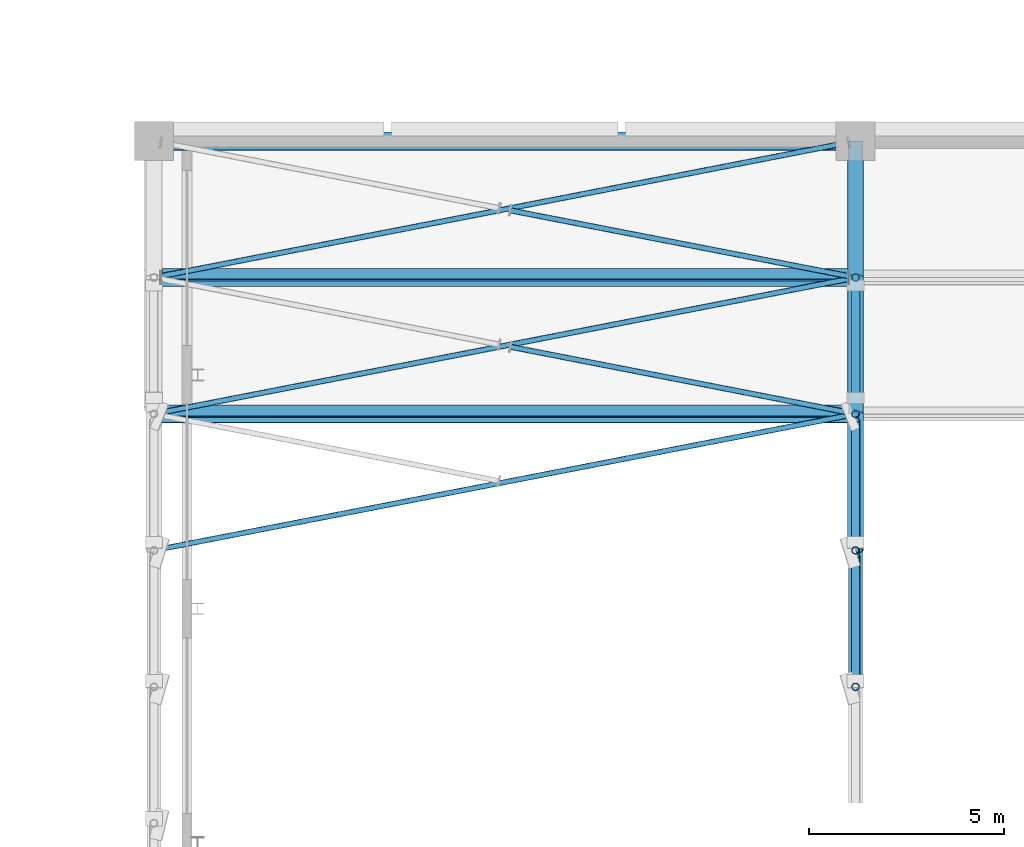
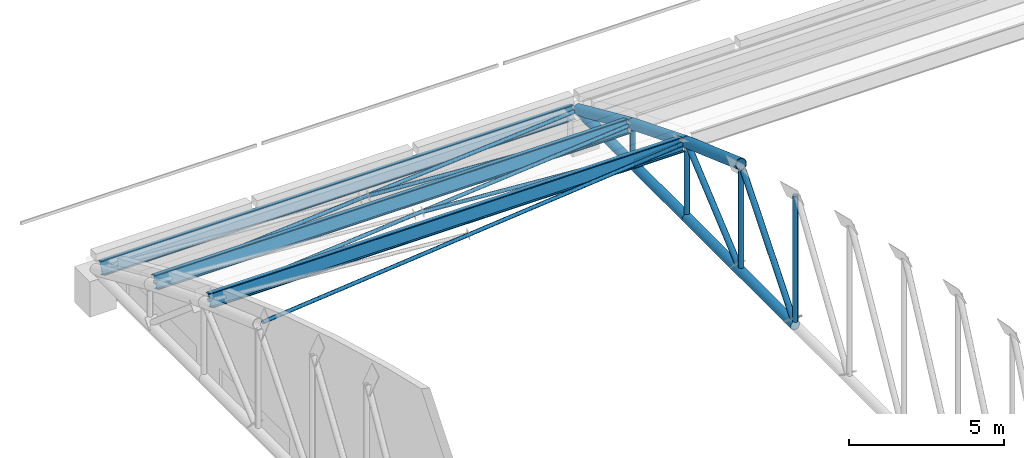
# One storey, part 67 of 196: 20 members.
"""IFC4 building model written with IfcOpenShell, lengths in metres."""

from ifc_helpers import new_model, si_unit, direction, frame, origin, origin_2d, place, context, subcontext, project, spatial, hollow_circle, i_section, extrude, material, material_profile, profile_set, type_object, element, save


model = new_model("IFC4")

# Units and contexts
model_context = context("Model", 3, precision=1e-05, world=origin(), true_north=direction((0.0, 1.0)))
body_context = subcontext(model_context, "Body", "Model", "MODEL_VIEW")
ifc_project = project(units=[si_unit("LENGTHUNIT", "METRE"), si_unit("AREAUNIT", "SQUARE_METRE"), si_unit("VOLUMEUNIT", "CUBIC_METRE"), si_unit("PLANEANGLEUNIT", "RADIAN"), si_unit("MASSUNIT", "GRAM", prefix="KILO")], contexts=[model_context])

# Site, building, storey
site_placement = place(None, origin())
site = spatial("IfcSite", under=ifc_project, at=site_placement, CompositionType="ELEMENT")
building_placement = place(site_placement, origin())
building = spatial("IfcBuilding", under=site, at=building_placement, Name="Okhra Congress Centre", CompositionType="ELEMENT")
storey_placement = place(building_placement, frame((0.0, 0.0, 12.0)))
storey = spatial("IfcBuildingStorey", under=building, at=storey_placement, Name="L02", CompositionType="ELEMENT", Elevation=12.0)

# Members
ifc_material_1 = material(Name="Steel S355J2H", Category="steel")
ifc_material_profile_1 = material_profile(ifc_material_1, hollow_circle(Radius=0.06982421875, WallThickness=0.00634765625, at=origin_2d()), Name="CHS 139.7x6.3")
ifc_profile_set_1 = profile_set([ifc_material_profile_1], Name="Steel S355J2H")
member_type_1 = type_object("IfcMemberType", Name="CHS 139.7x6.3", PredefinedType="BRACE", material=ifc_profile_set_1)
member_1_placement = place(storey_placement, frame((28.185546875, 205.5361328125, 5.6162109375), z_axis=(0.979325120361, 0.190418301156, -0.068287474809), x_axis=(-0.190863837306, 0.981616521667, 0.0)))
element("IfcMember", 1, at=member_1_placement, inside=storey, type_object=member_type_1, Name="EH.MEM.L02.XB1-22-1", PredefinedType="BRACE", context=body_context, shape_type="SweptSolid", body=[
    extrude(hollow_circle(Radius=0.06982421875, WallThickness=0.00634765625, at=origin_2d()), origin(), (0.0, 0.0, 1.0), 18.0009765625),
])
member_2_placement = place(storey_placement, frame((28.185546875, 209.0361328125, 4.359619140625), z_axis=(0.978737844173, 0.190304112179, -0.07652827759), x_axis=(-0.190863837306, 0.981616521667, 0.0)))
element("IfcMember", 2, at=member_2_placement, inside=storey, type_object=member_type_1, Name="EH.MEM.L02.XB1-23-1", PredefinedType="BRACE", context=body_context, shape_type="SweptSolid", body=[
    extrude(hollow_circle(Radius=0.06982421875, WallThickness=0.00634765625, at=origin_2d()), origin(), (0.0, 0.0, 1.0), 18.011962890625),
])
member_3_placement = place(storey_placement, frame((45.814453125, 209.0361328125, 4.359619140625), z_axis=(-0.97874056041, 0.19029150725, -0.076524882736), x_axis=(-0.190851145429, -0.981618989368, 0.0)))
element("IfcMember", 3, at=member_3_placement, inside=storey, type_object=member_type_1, Name="EH.MEM.L02.XB1-23-2a", PredefinedType="BRACE", context=body_context, shape_type="SweptSolid", body=[
    extrude(hollow_circle(Radius=0.06982421875, WallThickness=0.00634765625, at=origin_2d()), origin(), (0.0, 0.0, 1.0), 8.85009765625),
])
member_4_placement = place(storey_placement, frame((28.185546875, 212.5361328125, 2.95068359375), z_axis=(0.978053112716, 0.190170974165, -0.085129955315), x_axis=(-0.190863837306, 0.981616521667, 0.0)))
element("IfcMember", 4, at=member_4_placement, inside=storey, type_object=member_type_1, Name="EH.MEM.L02.XB1-24-1", PredefinedType="BRACE", context=body_context, shape_type="SweptSolid", body=[
    extrude(hollow_circle(Radius=0.06982421875, WallThickness=0.00634765625, at=origin_2d()), origin(), (0.0, 0.0, 1.0), 18.0244140625),
])
member_5_placement = place(storey_placement, frame((45.814453125, 212.5361328125, 2.95068359375), z_axis=(-0.978051270157, 0.190181228948, -0.085128215653), x_axis=(-0.190874100976, -0.98161452596, 0.0)))
element("IfcMember", 5, at=member_5_placement, inside=storey, type_object=member_type_1, Name="EH.MEM.L02.XB1-24-2a", PredefinedType="BRACE", context=body_context, shape_type="SweptSolid", body=[
    extrude(hollow_circle(Radius=0.06982421875, WallThickness=0.00634765625, at=origin_2d()), origin(), (0.0, 0.0, 1.0), 8.85888671875),
])
ifc_material_profile_2 = material_profile(ifc_material_1, hollow_circle(Radius=0.096923828125, WallThickness=0.012451171875, at=origin_2d()), Name="CHS 193.7x12.5")
ifc_profile_set_2 = profile_set([ifc_material_profile_2], Name="Steel S355J2H")
member_type_2 = type_object("IfcMemberType", Name="CHS 193.7x12.5", PredefinedType="POST", material=ifc_profile_set_2)
member_6_placement = place(storey_placement, frame((46.0, 202.0, 1.577880859375), z_axis=(0.0, 0.0, 1.0), x_axis=(1.0, 0.0, 0.0)))
element("IfcMember", 6, at=member_6_placement, inside=storey, type_object=member_type_2, Name="EH.MEM.L02.T2-VER-20", PredefinedType="POST", context=body_context, shape_type="SweptSolid", body=[
    extrude(hollow_circle(Radius=0.096923828125, WallThickness=0.012451171875, at=origin_2d()), origin(), (0.0, 0.0, 1.0), 4.947998046875),
])
member_7_placement = place(storey_placement, frame((46.0, 205.5, 1.577880859375), z_axis=(0.0, 0.0, 1.0), x_axis=(1.0, 0.0, 0.0)))
element("IfcMember", 7, at=member_7_placement, inside=storey, type_object=member_type_2, Name="EH.MEM.L02.T2-VER-21", PredefinedType="POST", context=body_context, shape_type="SweptSolid", body=[
    extrude(hollow_circle(Radius=0.096923828125, WallThickness=0.012451171875, at=origin_2d()), origin(), (0.0, 0.0, 1.0), 3.836669921875),
])
member_8_placement = place(storey_placement, frame((46.0, 209.0, 1.577880859375), z_axis=(0.0, 0.0, 1.0), x_axis=(1.0, 0.0, 0.0)))
element("IfcMember", 8, at=member_8_placement, inside=storey, type_object=member_type_2, Name="EH.MEM.L02.T2-VER-22", PredefinedType="POST", context=body_context, shape_type="SweptSolid", body=[
    extrude(hollow_circle(Radius=0.096923828125, WallThickness=0.012451171875, at=origin_2d()), origin(), (0.0, 0.0, 1.0), 2.578857421875),
])
member_9_placement = place(storey_placement, frame((46.0, 212.5, 1.577880859375), z_axis=(0.0, 0.0, 1.0), x_axis=(1.0, 0.0, 0.0)))
element("IfcMember", 9, at=member_9_placement, inside=storey, type_object=member_type_2, Name="EH.MEM.L02.T2-VER-23", PredefinedType="POST", context=body_context, shape_type="SweptSolid", body=[
    extrude(hollow_circle(Radius=0.096923828125, WallThickness=0.012451171875, at=origin_2d()), origin(), (0.0, 0.0, 1.0), 1.168212890625),
])
ifc_material_profile_3 = material_profile(ifc_material_1, hollow_circle(Radius=0.109619140625, WallThickness=0.012451171875, at=origin_2d()), Name="CHS 219.1x12.5")
ifc_profile_set_3 = profile_set([ifc_material_profile_3], Name="Steel S355J2H")
member_type_3 = type_object("IfcMemberType", Name="CHS 219.1x12.5", PredefinedType="BRACE", material=ifc_profile_set_3)
member_10_placement = place(storey_placement, frame((46.0, 205.373779296875, 5.476318359375), z_axis=(0.0, -0.637599309049, -0.770368172435), x_axis=(1.0, 0.0, 0.0)))
element("IfcMember", 10, at=member_10_placement, inside=storey, type_object=member_type_3, Name="EH.MEM.L02.T2-DIA-20", PredefinedType="BRACE", context=body_context, shape_type="SweptSolid", body=[
    extrude(hollow_circle(Radius=0.109619140625, WallThickness=0.012451171875, at=origin_2d()), origin(), (0.0, 0.0, 1.0), 5.060546875),
])
member_11_placement = place(storey_placement, frame((46.0, 208.8388671875, 4.237060546875), z_axis=(0.0, -0.762061047132, -0.64750518179), x_axis=(1.0, 0.0, 0.0)))
element("IfcMember", 11, at=member_11_placement, inside=storey, type_object=member_type_3, Name="EH.MEM.L02.T2-DIA-21", PredefinedType="BRACE", context=body_context, shape_type="SweptSolid", body=[
    extrude(hollow_circle(Radius=0.109619140625, WallThickness=0.012451171875, at=origin_2d()), origin(), (0.0, 0.0, 1.0), 4.106689453125),
])
member_12_placement = place(storey_placement, frame((46.0, 209.42578125, 4.01220703125), z_axis=(0.0, 0.76205947483, -0.647507032257), x_axis=(-1.0, 0.0, 0.0)))
element("IfcMember", 12, at=member_12_placement, inside=storey, type_object=member_type_3, Name="EH.MEM.L02.T2-DIA-22", PredefinedType="BRACE", context=body_context, shape_type="SweptSolid", body=[
    extrude(hollow_circle(Radius=0.109619140625, WallThickness=0.012451171875, at=origin_2d()), origin(), (0.0, 0.0, 1.0), 3.759521484375),
])
ifc_material_profile_4 = material_profile(ifc_material_1, hollow_circle(Radius=0.177734375, WallThickness=0.01611328125, at=origin_2d()), Name="CHS 355.6x16.0")
ifc_profile_set_4 = profile_set([ifc_material_profile_4], Name="Steel S355J2H")
member_type_4 = type_object("IfcMemberType", Name="CHS 355.6x16.0", PredefinedType="CHORD", material=ifc_profile_set_4)
member_13_placement = place(storey_placement, frame((46.0, 202.0, 1.39990234375), z_axis=(0.0, 1.0, 0.0), x_axis=(-1.0, 0.0, 0.0)))
element("IfcMember", 13, at=member_13_placement, inside=storey, type_object=member_type_4, Name="EH.MEM.L02.T2-BOT-11", PredefinedType="CHORD", context=body_context, shape_type="SweptSolid", body=[
    extrude(hollow_circle(Radius=0.177734375, WallThickness=0.01611328125, at=origin_2d()), origin(), (0.0, 0.0, 1.0), 7.0),
])
ifc_material_profile_5 = material_profile(ifc_material_1, hollow_circle(Radius=0.177734375, WallThickness=0.02490234375, at=origin_2d()), Name="CHS 355.6x25.0")
ifc_profile_set_5 = profile_set([ifc_material_profile_5], Name="Steel S355J2H")
member_type_5 = type_object("IfcMemberType", Name="CHS 355.6x25.0", PredefinedType="CHORD", material=ifc_profile_set_5)
member_14_placement = place(storey_placement, frame((46.0, 209.0, 1.39990234375), z_axis=(0.0, 1.0, 0.0), x_axis=(-1.0, 0.0, 0.0)))
element("IfcMember", 14, at=member_14_placement, inside=storey, type_object=member_type_5, Name="EH.MEM.L02.T2-BOT-12", PredefinedType="CHORD", context=body_context, shape_type="SweptSolid", body=[
    extrude(hollow_circle(Radius=0.177734375, WallThickness=0.02490234375, at=origin_2d()), origin(), (0.0, 0.0, 1.0), 7.0),
])
ifc_material_profile_6 = material_profile(ifc_material_1, hollow_circle(Radius=0.203125, WallThickness=0.02490234375, at=origin_2d()), Name="CHS 406.4x25.0")
ifc_profile_set_6 = profile_set([ifc_material_profile_6], Name="Steel S355J2H")
member_type_6 = type_object("IfcMemberType", Name="CHS 406.4x25.0", PredefinedType="CHORD", material=ifc_profile_set_6)
member_15_placement = place(storey_placement, frame((46.0, 205.5, 5.629150390625), z_axis=(0.0, 0.941304373418, -0.337558997192), x_axis=(-1.0, 0.0, 0.0)))
element("IfcMember", 15, at=member_15_placement, inside=storey, type_object=member_type_6, Name="EH.MEM.L02.T2-TOP-22", PredefinedType="CHORD", context=body_context, shape_type="SweptSolid", body=[
    extrude(hollow_circle(Radius=0.203125, WallThickness=0.02490234375, at=origin_2d()), origin(), (0.0, 0.0, 1.0), 3.71826171875),
])
member_16_placement = place(storey_placement, frame((46.0, 209.0, 4.3740234375), z_axis=(0.0, 0.927814639871, -0.373041544658), x_axis=(-1.0, 0.0, 0.0)))
element("IfcMember", 16, at=member_16_placement, inside=storey, type_object=member_type_6, Name="EH.MEM.L02.T2-TOP-23", PredefinedType="CHORD", context=body_context, shape_type="SweptSolid", body=[
    extrude(hollow_circle(Radius=0.203125, WallThickness=0.02490234375, at=origin_2d()), origin(), (0.0, 0.0, 1.0), 3.772216796875),
])
member_17_placement = place(storey_placement, frame((46.0, 212.5, 2.966796875), z_axis=(0.0, 0.912710800597, -0.408606160591), x_axis=(-1.0, 0.0, 0.0)))
element("IfcMember", 17, at=member_17_placement, inside=storey, type_object=member_type_6, Name="EH.MEM.L02.T2-TOP-24", PredefinedType="CHORD", context=body_context, shape_type="SweptSolid", body=[
    extrude(hollow_circle(Radius=0.203125, WallThickness=0.02490234375, at=origin_2d()), origin(), (0.0, 0.0, 1.0), 3.834716796875),
])
ifc_material_2 = material(Name="Steel S355J2", Category="steel")
ifc_material_profile_7 = material_profile(ifc_material_2, i_section(OverallWidth=0.300048828125, OverallDepth=0.5, WebThickness=0.014404296875, FlangeThickness=0.028076171875, at=origin_2d()), Name="HE 500 B")
ifc_profile_set_7 = profile_set([ifc_material_profile_7], Name="Steel S355J2")
member_type_7 = type_object("IfcMemberType", Name="HE 500 B", PredefinedType="PURLIN", material=ifc_profile_set_7)
for number, where, z_axis, x_axis, name in (
    (18, (28.203125, 209.0, 4.3740234375), (1.0, 0.0, 0.0), (0.0, 0.934732963292, -0.355350935465), "EH.MEM.L02.PU1-23"),
    (19, (28.203125, 212.5, 2.966796875), (1.0, 0.0, 0.0), (0.0, 0.920437204489, -0.390890461118), "EH.MEM.L02.PU1-24"),
    (20, (28.203125, 216.0, 1.39990234375), (1.0, 0.0, 0.0), (0.0, 0.912721046606, -0.40858327313), "EH.MEM.L02.PU1-25"),
):
    element("IfcMember", number, at=place(storey_placement, frame(where, z_axis=z_axis, x_axis=x_axis)), inside=storey, type_object=member_type_7, Name=name, PredefinedType="PURLIN", context=body_context, shape_type="SweptSolid", body=[
        extrude(i_section(OverallWidth=0.300048828125, OverallDepth=0.5, WebThickness=0.014404296875, FlangeThickness=0.028076171875, at=origin_2d()), origin(), (0.0, 0.0, 1.0), 17.59375),
    ])

save(model, "model.ifc")
